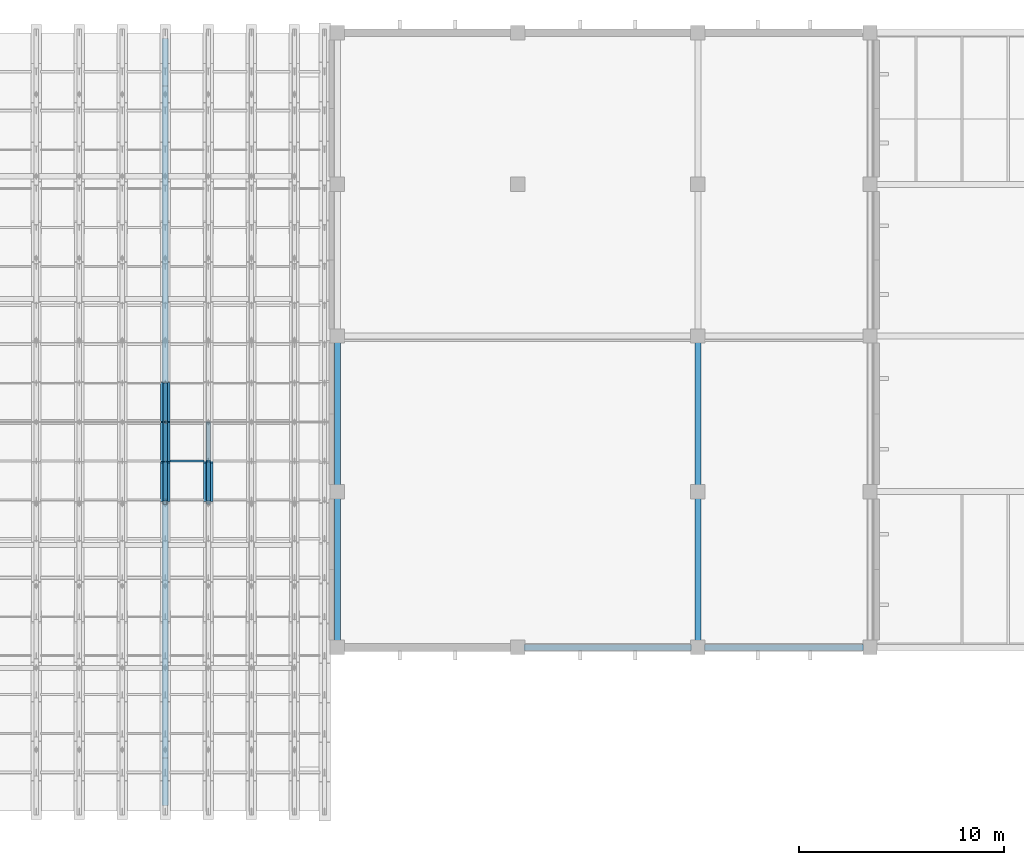
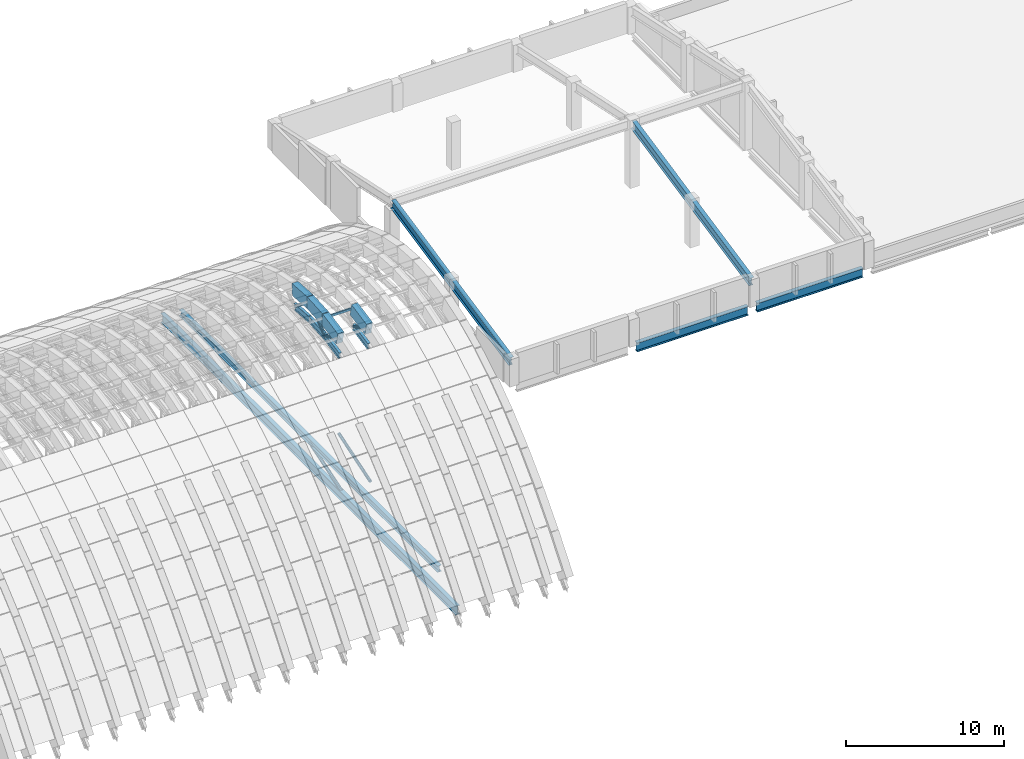
# One storey, part 35 of 67: 14 beams, 7 members.
"""IFC4 building model written with IfcOpenShell, lengths in metres."""

from ifc_helpers import new_model, si_unit, direction, frame, origin, origin_2d, place, context, subcontext, project, spatial, rectangle, hollow_rectangle, hollow_circle, i_section, extrude, material, material_profile, profile_set, type_object, element, save


model = new_model("IFC4")

# Units and contexts
model_context = context("Model", 3, precision=1e-05, world=origin(), true_north=direction((0.0, 1.0)))
body_context = subcontext(model_context, "Body", "Model", "MODEL_VIEW")
ifc_project = project(units=[si_unit("LENGTHUNIT", "METRE"), si_unit("AREAUNIT", "SQUARE_METRE"), si_unit("VOLUMEUNIT", "CUBIC_METRE"), si_unit("PLANEANGLEUNIT", "RADIAN"), si_unit("MASSUNIT", "GRAM", prefix="KILO")], contexts=[model_context])

# Site, building, storey
site_placement = place(None, origin())
site = spatial("IfcSite", under=ifc_project, at=site_placement, CompositionType="ELEMENT")
building_placement = place(site_placement, origin())
building = spatial("IfcBuilding", under=site, at=building_placement, Name="Shengluoqiao Park Theatre", CompositionType="ELEMENT")
storey_placement = place(building_placement, frame((0.0, 0.0, 28.60009765625)))
storey = spatial("IfcBuildingStorey", under=building, at=storey_placement, Name="Roof", CompositionType="ELEMENT", Elevation=28.60009765625)

# Beams
ifc_material_1 = material(Name="Concrete C50", Category="concrete")
ifc_material_profile_1 = material_profile(ifc_material_1, rectangle(XDim=0.4599609375, YDim=0.919921875, at=origin_2d()), Name="RC ARCH 460x920")
ifc_profile_set_1 = profile_set([ifc_material_profile_1], Name="Concrete C50")
beam_type_1 = type_object("IfcBeamType", Name="STR-BM-AR-4609", PredefinedType="BEAM", material=ifc_profile_set_1)
beam_1_placement = place(storey_placement, frame((78.0, 91.199951171875, 2.075927734375), z_axis=(0.0, 0.980788534345, 0.195073962632), x_axis=(-1.0, 0.0, 0.0)))
element("IfcBeam", 1, at=beam_1_placement, inside=storey, type_object=beam_type_1, Name="Barrel-Shell Arch Rib R17-S09", PredefinedType="BEAM", context=body_context, shape_type="SweptSolid", body=[
    extrude(rectangle(XDim=0.4599609375, YDim=0.919921875, at=origin_2d()), origin(), (0.0, 0.0, 1.0), 1.937255859375),
])
for number, where, z_axis, x_axis, name in (
    (2, (78.0, 93.10009765625, 2.453857421875), (0.0, 0.997808922354, 0.066161578506), (-1.0, 0.0, 0.0), "Barrel-Shell Arch Rib R17-S10"),
    (3, (78.0, 95.0, 2.579833984375), (0.0, 0.997808922354, -0.066161578506), (-1.0, 0.0, 0.0), "Barrel-Shell Arch Rib R17-S11"),
):
    element("IfcBeam", number, at=place(storey_placement, frame(where, z_axis=z_axis, x_axis=x_axis)), inside=storey, type_object=beam_type_1, Name=name, PredefinedType="BEAM", context=body_context, shape_type="SweptSolid", body=[
        extrude(rectangle(XDim=0.4599609375, YDim=0.919921875, at=origin_2d()), origin(), (0.0, 0.0, 1.0), 1.904052734375),
    ])
beam_2_placement = place(storey_placement, frame((80.10009765625, 91.199951171875, 2.075927734375), z_axis=(0.0, 0.980788534345, 0.195073962632), x_axis=(-1.0, 0.0, 0.0)))
element("IfcBeam", 4, at=beam_2_placement, inside=storey, type_object=beam_type_1, Name="Barrel-Shell Arch Rib R18-S09", PredefinedType="BEAM", context=body_context, shape_type="SweptSolid", body=[
    extrude(rectangle(XDim=0.4599609375, YDim=0.919921875, at=origin_2d()), origin(), (0.0, 0.0, 1.0), 1.937255859375),
])
ifc_material_2 = material(Name="Steel Q355", Category="steel")
ifc_material_profile_2 = material_profile(ifc_material_2, i_section(OverallWidth=0.300048828125, OverallDepth=0.488037109375, WebThickness=0.010986328125, FlangeThickness=0.01806640625, FilletRadius=0.02197265625, at=origin_2d()), Name="HM 488x300x11x18")
ifc_profile_set_2 = profile_set([ifc_material_profile_2], Name="Steel Q355")
beam_type_2 = type_object("IfcBeamType", Name="STR-BM-G-HM488", PredefinedType="BEAM", material=ifc_profile_set_2)
beam_3_placement = place(storey_placement, frame((78.0, 78.60009765625, -8.150146484375), z_axis=(0.0, 1.0, 0.0), x_axis=(-1.0, 0.0, 0.0)))
element("IfcBeam", 5, at=beam_3_placement, inside=storey, type_object=beam_type_2, Name="Barrel-Shell Acoustic Tie Truss Top Chord 17", PredefinedType="BEAM", context=body_context, shape_type="SweptSolid", body=[
    extrude(i_section(OverallWidth=0.300048828125, OverallDepth=0.488037109375, WebThickness=0.010986328125, FlangeThickness=0.01806640625, FilletRadius=0.02197265625, at=origin_2d()), origin(), (0.0, 0.0, 1.0), 32.7998046875),
])
ifc_material_3 = material(Name="Steel Q390", Category="steel")
ifc_material_profile_3 = material_profile(ifc_material_3, i_section(OverallWidth=0.300048828125, OverallDepth=0.699951171875, WebThickness=0.012939453125, FlangeThickness=0.02392578125, FilletRadius=0.02392578125, at=origin_2d()), Name="HN 700x300x13x24")
ifc_profile_set_3 = profile_set([ifc_material_profile_3], Name="Steel Q390")
beam_type_3 = type_object("IfcBeamType", Name="STR-BM-G-HN700", PredefinedType="BEAM", material=ifc_profile_set_3)
beam_4_placement = place(storey_placement, frame((78.0, 76.280029296875, -9.9501953125), z_axis=(0.0, 1.0, 0.0), x_axis=(-1.0, 0.0, 0.0)))
element("IfcBeam", 6, at=beam_4_placement, inside=storey, type_object=beam_type_3, Name="Barrel-Shell Acoustic Tie Truss Bottom Chord 17", PredefinedType="BEAM", context=body_context, shape_type="SweptSolid", body=[
    extrude(i_section(OverallWidth=0.300048828125, OverallDepth=0.699951171875, WebThickness=0.012939453125, FlangeThickness=0.02392578125, FilletRadius=0.02392578125, at=origin_2d()), origin(), (0.0, 0.0, 1.0), 37.43994140625),
])
beam_5_placement = place(storey_placement, frame((95.52001953125, 84.0, -0.35009765625), z_axis=(1.0, 0.0, 0.0), x_axis=(0.0, 1.0, 0.0)))
element("IfcBeam", 7, at=beam_5_placement, inside=storey, type_object=beam_type_3, Name="Fly Tower Roof South Eave Sill Girder X95", PredefinedType="BEAM", context=body_context, shape_type="SweptSolid", body=[
    extrude(i_section(OverallWidth=0.300048828125, OverallDepth=0.699951171875, WebThickness=0.012939453125, FlangeThickness=0.02392578125, FilletRadius=0.02392578125, at=origin_2d()), origin(), (0.0, 0.0, 1.0), 8.159912109375),
])
beam_6_placement = place(storey_placement, frame((104.320068359375, 84.0, -0.35009765625), z_axis=(1.0, 0.0, 0.0), x_axis=(0.0, 1.0, 0.0)))
element("IfcBeam", 8, at=beam_6_placement, inside=storey, type_object=beam_type_3, Name="Fly Tower Roof South Eave Sill Girder X104", PredefinedType="BEAM", context=body_context, shape_type="SweptSolid", body=[
    extrude(i_section(OverallWidth=0.300048828125, OverallDepth=0.699951171875, WebThickness=0.012939453125, FlangeThickness=0.02392578125, FilletRadius=0.02392578125, at=origin_2d()), origin(), (0.0, 0.0, 1.0), 7.760009765625),
])
for number, where, z_axis, x_axis, name in (
    (9, (86.39990234375, 84.050048828125, 1.679931640625), (0.0, 0.979047182898, 0.203633527836), (-1.0, 0.0, 0.0), "Fly Tower South Roof Rafter X86"),
    (10, (104.0, 84.050048828125, 1.679931640625), (0.0, 0.979047182898, 0.203633527836), (-1.0, 0.0, 0.0), "Fly Tower South Roof Rafter X104"),
):
    element("IfcBeam", number, at=place(storey_placement, frame(where, z_axis=z_axis, x_axis=x_axis)), inside=storey, type_object=beam_type_3, Name=name, PredefinedType="BEAM", context=body_context, shape_type="SweptSolid", body=[
        extrude(i_section(OverallWidth=0.300048828125, OverallDepth=0.699951171875, WebThickness=0.012939453125, FlangeThickness=0.02392578125, FilletRadius=0.02392578125, at=origin_2d()), origin(), (0.0, 0.0, 1.0), 15.321044921875),
    ])
ifc_material_profile_4 = material_profile(ifc_material_2, i_section(OverallWidth=0.199951171875, OverallDepth=0.5, WebThickness=0.010009765625, FlangeThickness=0.01611328125, FilletRadius=0.01806640625, at=origin_2d()), Name="HN 500x200x10x16")
ifc_profile_set_4 = profile_set([ifc_material_profile_4], Name="Steel Q355")
beam_type_4 = type_object("IfcBeamType", Name="STR-BM-J-HN500", PredefinedType="JOIST", material=ifc_profile_set_4)
beam_7_placement = place(storey_placement, frame((78.0, 91.199951171875, 0.7158203125), z_axis=(0.0, 0.980764417124, 0.19519517951), x_axis=(-1.0, 0.0, 0.0)))
element("IfcBeam", 11, at=beam_7_placement, inside=storey, type_object=beam_type_4, Name="Barrel-Shell Lower Arch Chord R17-S09", PredefinedType="JOIST", context=body_context, shape_type="SweptSolid", body=[
    extrude(i_section(OverallWidth=0.199951171875, OverallDepth=0.5, WebThickness=0.010009765625, FlangeThickness=0.01611328125, FilletRadius=0.01806640625, at=origin_2d()), origin(), (0.0, 0.0, 1.0), 1.9375),
])
for number, where, z_axis, x_axis, name in (
    (12, (78.0, 93.10009765625, 1.093994140625), (0.0, 0.997808922354, 0.066161578506), (-1.0, 0.0, 0.0), "Barrel-Shell Lower Arch Chord R17-S10"),
    (13, (78.0, 95.0, 1.219970703125), (0.0, 0.997808922354, -0.066161578506), (-1.0, 0.0, 0.0), "Barrel-Shell Lower Arch Chord R17-S11"),
):
    element("IfcBeam", number, at=place(storey_placement, frame(where, z_axis=z_axis, x_axis=x_axis)), inside=storey, type_object=beam_type_4, Name=name, PredefinedType="JOIST", context=body_context, shape_type="SweptSolid", body=[
        extrude(i_section(OverallWidth=0.199951171875, OverallDepth=0.5, WebThickness=0.010009765625, FlangeThickness=0.01611328125, FilletRadius=0.01806640625, at=origin_2d()), origin(), (0.0, 0.0, 1.0), 1.904052734375),
    ])
beam_8_placement = place(storey_placement, frame((80.10009765625, 91.199951171875, 0.7158203125), z_axis=(0.0, 0.980764417124, 0.19519517951), x_axis=(-1.0, 0.0, 0.0)))
element("IfcBeam", 14, at=beam_8_placement, inside=storey, type_object=beam_type_4, Name="Barrel-Shell Lower Arch Chord R18-S09", PredefinedType="JOIST", context=body_context, shape_type="SweptSolid", body=[
    extrude(i_section(OverallWidth=0.199951171875, OverallDepth=0.5, WebThickness=0.010009765625, FlangeThickness=0.01611328125, FilletRadius=0.01806640625, at=origin_2d()), origin(), (0.0, 0.0, 1.0), 1.9375),
])

# Members
ifc_material_profile_5 = material_profile(ifc_material_2, hollow_circle(Radius=0.109619140625, WallThickness=0.010009765625, at=origin_2d()), Name="CHS 219x10")
ifc_profile_set_5 = profile_set([ifc_material_profile_5], Name="Steel Q355")
member_type_1 = type_object("IfcMemberType", Name="STR-MEM-BRC-219", PredefinedType="BRACE", material=ifc_profile_set_5)
member_1_placement = place(storey_placement, frame((78.0, 91.199951171875, 2.075927734375), z_axis=(0.0, 0.888389440766, -0.459090624535), x_axis=(-1.0, 0.0, 0.0)))
element("IfcMember", 15, at=member_1_placement, inside=storey, type_object=member_type_1, Name="Barrel-Shell Arch Truss Web 0329", PredefinedType="BRACE", context=body_context, shape_type="SweptSolid", body=[
    extrude(hollow_circle(Radius=0.109619140625, WallThickness=0.010009765625, at=origin_2d()), origin(), (0.0, 0.0, 1.0), 2.138916015625),
])
for number, where, z_axis, x_axis, name in (
    (16, (78.0, 93.10009765625, 1.093994140625), (0.0, 0.787714283449, 0.616040751615), (-1.0, 0.0, 0.0), "Barrel-Shell Arch Truss Web 0330"),
    (17, (78.0, 95.0, 2.579833984375), (0.0, 0.787714283449, -0.616040751615), (-1.0, 0.0, 0.0), "Barrel-Shell Arch Truss Web 0331"),
):
    element("IfcMember", number, at=place(storey_placement, frame(where, z_axis=z_axis, x_axis=x_axis)), inside=storey, type_object=member_type_1, Name=name, PredefinedType="BRACE", context=body_context, shape_type="SweptSolid", body=[
        extrude(hollow_circle(Radius=0.109619140625, WallThickness=0.010009765625, at=origin_2d()), origin(), (0.0, 0.0, 1.0), 2.411865234375),
    ])
member_2_placement = place(storey_placement, frame((80.10009765625, 91.199951171875, 2.075927734375), z_axis=(0.0, 0.888389440766, -0.459090624535), x_axis=(-1.0, 0.0, 0.0)))
element("IfcMember", 18, at=member_2_placement, inside=storey, type_object=member_type_1, Name="Barrel-Shell Arch Truss Web 0349", PredefinedType="BRACE", context=body_context, shape_type="SweptSolid", body=[
    extrude(hollow_circle(Radius=0.109619140625, WallThickness=0.010009765625, at=origin_2d()), origin(), (0.0, 0.0, 1.0), 2.138916015625),
])
member_3_placement = place(storey_placement, frame((80.10009765625, 91.0, -9.650146484375), z_axis=(0.0, 0.951030656115, 0.309096572498), x_axis=(-1.0, 0.0, 0.0)))
element("IfcMember", 19, at=member_3_placement, inside=storey, type_object=member_type_1, Name="Acoustic Tie Truss Diagonal 0149", PredefinedType="BRACE", context=body_context, shape_type="SweptSolid", body=[
    extrude(hollow_circle(Radius=0.109619140625, WallThickness=0.010009765625, at=origin_2d()), origin(), (0.0, 0.0, 1.0), 4.2060546875),
])
ifc_material_profile_6 = material_profile(ifc_material_2, hollow_circle(Radius=0.12255859375, WallThickness=0.010009765625, at=origin_2d()), Name="CHS 245x10")
ifc_profile_set_6 = profile_set([ifc_material_profile_6], Name="Steel Q355")
member_type_2 = type_object("IfcMemberType", Name="STR-MEM-BRC-245", PredefinedType="BRACE", material=ifc_profile_set_6)
member_4_placement = place(storey_placement, frame((78.0, 91.0, -9.650146484375), z_axis=(0.0, 0.951030656115, 0.309096572498), x_axis=(-1.0, 0.0, 0.0)))
element("IfcMember", 20, at=member_4_placement, inside=storey, type_object=member_type_2, Name="Acoustic Tie Truss Diagonal 0132", PredefinedType="BRACE", context=body_context, shape_type="SweptSolid", body=[
    extrude(hollow_circle(Radius=0.12255859375, WallThickness=0.010009765625, at=origin_2d()), origin(), (0.0, 0.0, 1.0), 4.2060546875),
])
ifc_material_profile_7 = material_profile(ifc_material_2, hollow_rectangle(XDim=0.10009765625, YDim=0.179931640625, WallThickness=0.008056640625, InnerFilletRadius=0.008056640625, OuterFilletRadius=0.01611328125, at=origin_2d()), Name="RHS 180x100x8")
ifc_profile_set_7 = profile_set([ifc_material_profile_7], Name="Steel Q355")
member_type_3 = type_object("IfcMemberType", Name="STR-MEM-PU-R180", PredefinedType="PURLIN", material=ifc_profile_set_7)
member_5_placement = place(storey_placement, frame((78.219970703125, 93.10009765625, 2.513916015625), z_axis=(1.0, 0.0, 0.0), x_axis=(0.0, 1.0, 0.0)))
element("IfcMember", 21, at=member_5_placement, inside=storey, type_object=member_type_3, Name="Shell Longitudinal Purlin 0313", PredefinedType="PURLIN", context=body_context, shape_type="SweptSolid", body=[
    extrude(hollow_rectangle(XDim=0.10009765625, YDim=0.179931640625, WallThickness=0.008056640625, InnerFilletRadius=0.008056640625, OuterFilletRadius=0.01611328125, at=origin_2d()), origin(), (0.0, 0.0, 1.0), 1.659912109375),
])

save(model, "model.ifc")
